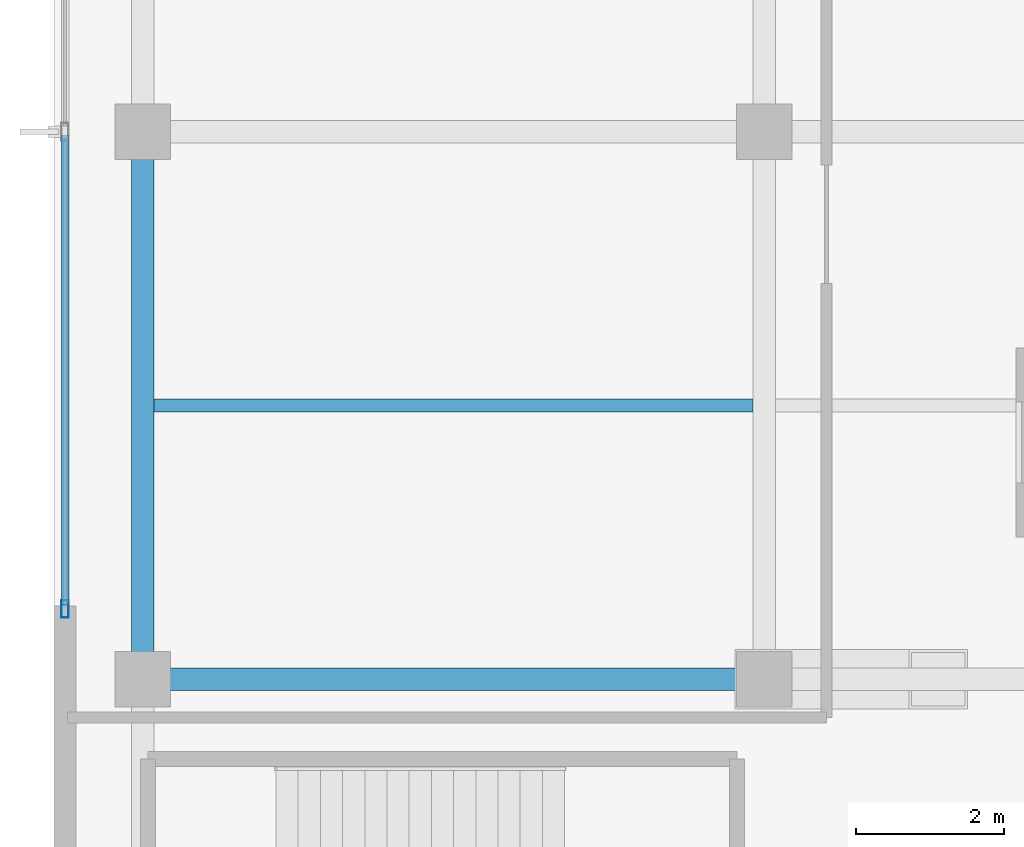
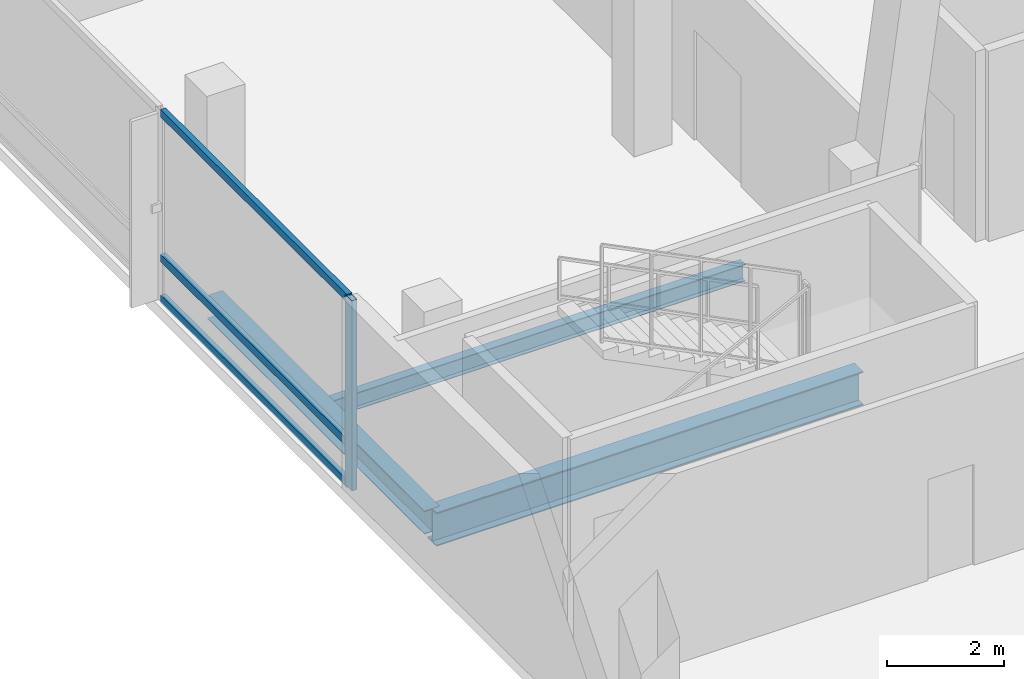
# One storey, part 2 of 23: 4 members, 3 beams, 1 element without a shape of its own.
"""IFC4 building model written with IfcOpenShell, lengths in metres."""

from ifc_helpers import new_model, si_unit, direction, frame, origin, origin_2d, place, context, subcontext, project, spatial, hollow_rectangle, i_section, extrude, material, layer, layer_set, material_profile, profile_set, type_object, element, aggregate, save


model = new_model("IFC4")

# Units and contexts
model_context = context("Model", 3, precision=1e-05, world=origin(), true_north=direction((0.0, 1.0)))
body_context = subcontext(model_context, "Body", "Model", "MODEL_VIEW")
ifc_project = project(units=[si_unit("LENGTHUNIT", "METRE"), si_unit("AREAUNIT", "SQUARE_METRE"), si_unit("VOLUMEUNIT", "CUBIC_METRE"), si_unit("PLANEANGLEUNIT", "RADIAN"), si_unit("MASSUNIT", "GRAM", prefix="KILO")], contexts=[model_context])

# Site, building, storey
site_placement = place(None, origin())
site = spatial("IfcSite", under=ifc_project, at=site_placement, CompositionType="ELEMENT")
building_placement = place(site_placement, origin())
building = spatial("IfcBuilding", under=site, at=building_placement, Name="Khorvyn Point Tower", CompositionType="ELEMENT")
storey_placement = place(building_placement, frame((0.0, 0.0, 9.0)))
storey = spatial("IfcBuildingStorey", under=building, at=storey_placement, Name="L03", CompositionType="ELEMENT", Elevation=9.0)

# Curtain wall, members
ifc_material_1 = material(Name="Anodised aluminium 6063-T6 and laminated Low-E glass", Category="aluminium")
ifc_layer = layer(ifc_material_1, 0.18994140625)
ifc_layer_set = layer_set([ifc_layer], Name="Stick-Built Low-E Podium Curtain Wall CW-SYS-01")
curtain_wall_type = type_object("IfcCurtainWallType", Name="Stick-Built Low-E Podium Curtain Wall CW-SYS-01", PredefinedType="NOTDEFINED", material=ifc_layer_set)
curtain_wall_placement = place(storey_placement, origin())
curtain_wall = element("IfcCurtainWall", 1, at=curtain_wall_placement, inside=storey, type_object=curtain_wall_type, Name="Curtain Wall", PredefinedType="NOTDEFINED")
ifc_material_2 = material(Name="Anodised aluminium 6063-T6", Category="aluminium")
ifc_material_profile_1 = material_profile(ifc_material_2, hollow_rectangle(XDim=0.10009765625, YDim=0.239990234375, WallThickness=0.0048828125, at=origin_2d()))
ifc_profile_set_1 = profile_set([ifc_material_profile_1], Name="Anodised aluminium 6063-T6 ALU-MUL-100x240")
member_type_1 = type_object("IfcMemberType", Name="Anodised Aluminium 6063-T6 Mullion ALU-MUL-100x240", PredefinedType="MULLION", material=ifc_profile_set_1)
member_1_placement = place(storey_placement, frame((-33.449951171875, -6.449951171875, 0.0), z_axis=(0.0, 0.0, 1.0), x_axis=(-1.0, 0.0, 0.0)))
member_1 = element("IfcMember", 2, at=member_1_placement, type_object=member_type_1, Name="Transom", PredefinedType="MULLION", context=body_context, shape_type="SweptSolid", body=[
    extrude(hollow_rectangle(XDim=0.10009765625, YDim=0.239990234375, WallThickness=0.0048828125, at=origin_2d()), origin(), (0.0, 0.0, 1.0), 3.9599609375),
])
ifc_material_profile_2 = material_profile(ifc_material_2, hollow_rectangle(XDim=0.10009765625, YDim=0.159912109375, WallThickness=0.00439453125, at=origin_2d()))
ifc_profile_set_2 = profile_set([ifc_material_profile_2], Name="Anodised aluminium 6063-T6 ALU-TRN-100x160")
member_type_2 = type_object("IfcMemberType", Name="Anodised Aluminium 6063-T6 Transom ALU-TRN-100x160", PredefinedType="USERDEFINED", material=ifc_profile_set_2)
member_2_placement = place(storey_placement, frame((-33.449951171875, -6.39990234375, 0.050048828125), z_axis=(0.0, 1.0, 0.0), x_axis=(-1.0, 0.0, 0.0)))
member_2 = element("IfcMember", 3, at=member_2_placement, type_object=member_type_2, Name="Transom", ObjectType="TRANSOM", PredefinedType="USERDEFINED", context=body_context, shape_type="SweptSolid", body=[
    extrude(hollow_rectangle(XDim=0.10009765625, YDim=0.159912109375, WallThickness=0.00439453125, at=origin_2d()), origin(), (0.0, 0.0, 1.0), 6.349853515625),
])
member_3_placement = place(storey_placement, frame((-33.449951171875, -6.39990234375, 0.89990234375), z_axis=(0.0, 1.0, 0.0), x_axis=(-1.0, 0.0, 0.0)))
member_3 = element("IfcMember", 4, at=member_3_placement, type_object=member_type_2, Name="Transom", ObjectType="TRANSOM", PredefinedType="USERDEFINED", context=body_context, shape_type="SweptSolid", body=[
    extrude(hollow_rectangle(XDim=0.10009765625, YDim=0.159912109375, WallThickness=0.00439453125, at=origin_2d()), origin(), (0.0, 0.0, 1.0), 6.349853515625),
])
member_4_placement = place(storey_placement, frame((-33.449951171875, -6.39990234375, 3.909912109375), z_axis=(0.0, 1.0, 0.0), x_axis=(-1.0, 0.0, 0.0)))
member_4 = element("IfcMember", 5, at=member_4_placement, type_object=member_type_2, Name="Transom", ObjectType="TRANSOM", PredefinedType="USERDEFINED", context=body_context, shape_type="SweptSolid", body=[
    extrude(hollow_rectangle(XDim=0.10009765625, YDim=0.159912109375, WallThickness=0.00439453125, at=origin_2d()), origin(), (0.0, 0.0, 1.0), 6.349853515625),
])
aggregate(curtain_wall, [member_1, member_2, member_3, member_4])

# Beams
ifc_material_3 = material(Name="Steel S355", Category="steel")
ifc_material_profile_3 = material_profile(ifc_material_3, i_section(OverallWidth=0.300048828125, OverallDepth=0.699951171875, WebThickness=0.012939453125, FlangeThickness=0.02392578125, at=origin_2d()))
ifc_profile_set_3 = profile_set([ifc_material_profile_3], Name="Steel S355 H700x300x13x24")
beam_type_1 = type_object("IfcBeamType", Name="Steel S355 Beam H700x300x13x24", PredefinedType="BEAM", material=ifc_profile_set_3)
beam_1_placement = place(storey_placement, frame((-32.39990234375, -7.39990234375, -0.590087890625), z_axis=(1.0, 0.0, 0.0), x_axis=(0.0, 1.0, 0.0)))
element("IfcBeam", 6, at=beam_1_placement, inside=storey, type_object=beam_type_1, Name="Beam", PredefinedType="BEAM", context=body_context, shape_type="SweptSolid", body=[
    extrude(i_section(OverallWidth=0.300048828125, OverallDepth=0.699951171875, WebThickness=0.012939453125, FlangeThickness=0.02392578125, at=origin_2d()), origin(), (0.0, 0.0, 1.0), 8.39990234375),
])
ifc_material_profile_4 = material_profile(ifc_material_3, i_section(OverallWidth=0.175048828125, OverallDepth=0.35009765625, WebThickness=0.007080078125, FlangeThickness=0.010986328125, at=origin_2d()))
ifc_profile_set_4 = profile_set([ifc_material_profile_4], Name="Steel S355 H350x175x7x11")
beam_type_2 = type_object("IfcBeamType", Name="Steel S355 Joist H350x175x7x11", PredefinedType="JOIST", material=ifc_profile_set_4)
beam_2_placement = place(storey_placement, frame((-32.25, -3.699951171875, -0.4150390625), z_axis=(1.0, 0.0, 0.0), x_axis=(0.0, 1.0, 0.0)))
element("IfcBeam", 7, at=beam_2_placement, inside=storey, type_object=beam_type_2, Name="Beam", PredefinedType="JOIST", context=body_context, shape_type="SweptSolid", body=[
    extrude(i_section(OverallWidth=0.175048828125, OverallDepth=0.35009765625, WebThickness=0.007080078125, FlangeThickness=0.010986328125, at=origin_2d()), origin(), (0.0, 0.0, 1.0), 8.10009765625),
])
ifc_material_profile_5 = material_profile(ifc_material_3, i_section(OverallWidth=0.300048828125, OverallDepth=0.488037109375, WebThickness=0.010986328125, FlangeThickness=0.01806640625, at=origin_2d()))
ifc_profile_set_5 = profile_set([ifc_material_profile_5], Name="Steel S355 H488x300x11x18")
beam_type_3 = type_object("IfcBeamType", Name="Steel S355 Spandrel H488x300x11x18", PredefinedType="SPANDREL", material=ifc_profile_set_5)
beam_3_placement = place(storey_placement, frame((-32.39990234375, -7.39990234375, -0.48388671875), z_axis=(0.0, 1.0, 0.0), x_axis=(-1.0, 0.0, 0.0)))
element("IfcBeam", 8, at=beam_3_placement, inside=storey, type_object=beam_type_3, Name="Beam", PredefinedType="SPANDREL", context=body_context, shape_type="SweptSolid", body=[
    extrude(i_section(OverallWidth=0.300048828125, OverallDepth=0.488037109375, WebThickness=0.010986328125, FlangeThickness=0.01806640625, at=origin_2d()), origin(), (0.0, 0.0, 1.0), 7.39990234375),
])

save(model, "model.ifc")
